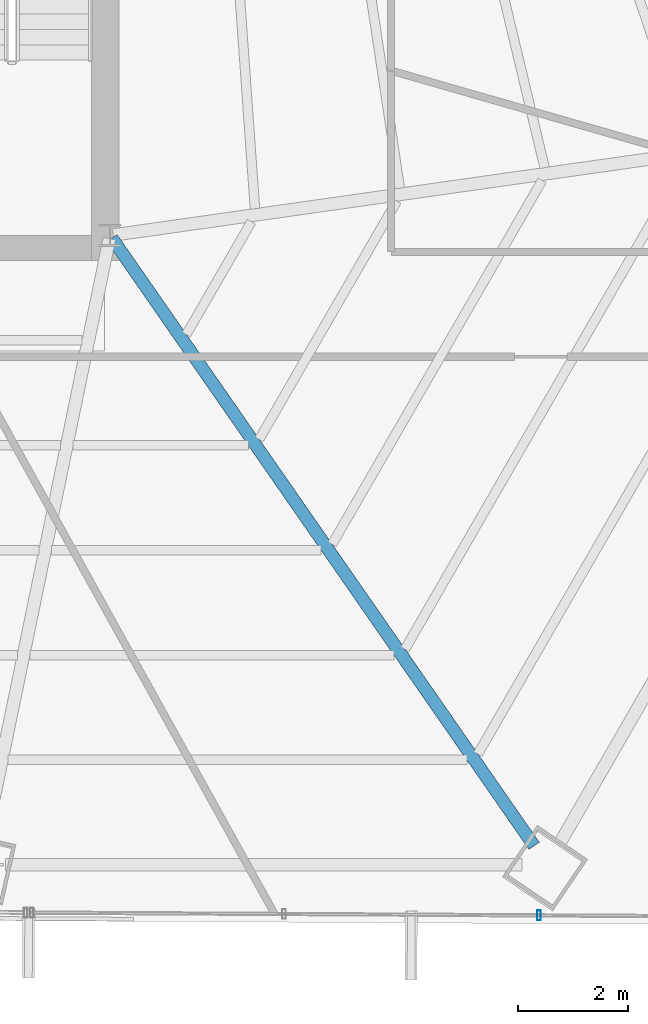
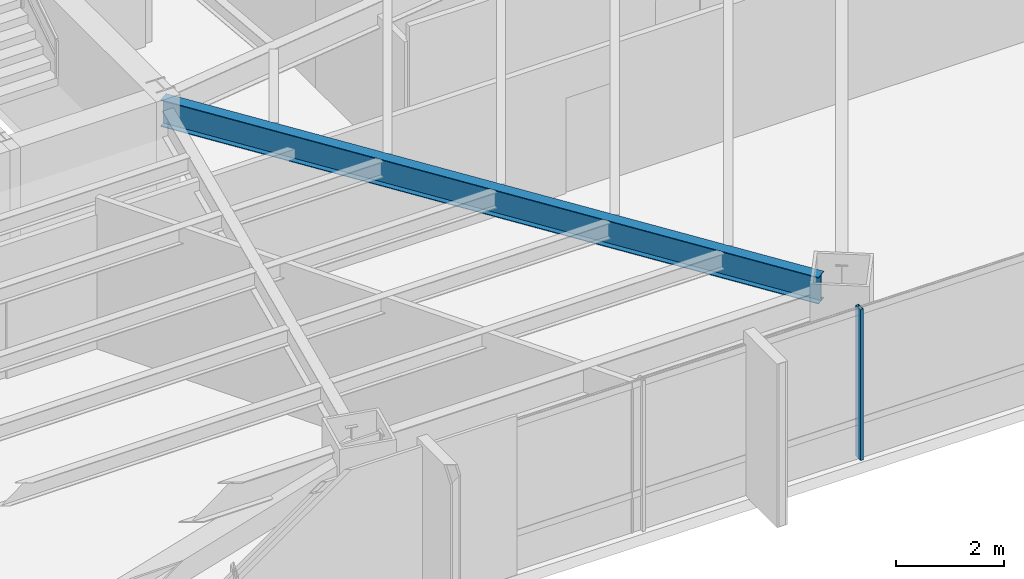
# One storey, part 16 of 36: 1 beam, 1 member, 1 element without a shape of its own.
"""IFC4 building model written with IfcOpenShell, lengths in metres."""

from ifc_helpers import new_model, si_unit, direction, frame, origin, origin_2d, place, context, subcontext, project, spatial, hollow_rectangle, i_section, extrude, source, transform, mapped, material, material_profile, profile_set, type_object, type_shapes, element, aggregate, save


model = new_model("IFC4")

# Units and contexts
model_context = context("Model", 3, precision=1e-05, world=origin(), true_north=direction((0.0, 1.0)))
body_context = subcontext(model_context, "Body", "Model", "MODEL_VIEW")
ifc_project = project(units=[si_unit("LENGTHUNIT", "METRE"), si_unit("AREAUNIT", "SQUARE_METRE"), si_unit("VOLUMEUNIT", "CUBIC_METRE"), si_unit("PLANEANGLEUNIT", "RADIAN"), si_unit("MASSUNIT", "GRAM", prefix="KILO")], contexts=[model_context])

# Site, building, storey
site_placement = place(None, origin())
site = spatial("IfcSite", under=ifc_project, at=site_placement, CompositionType="ELEMENT")
building_placement = place(site_placement, origin())
building = spatial("IfcBuilding", under=site, at=building_placement, Name="Caelisora Broadcast Tower", CompositionType="ELEMENT")
storey_placement = place(building_placement, frame((0.0, 0.0, 83.5)))
storey = spatial("IfcBuildingStorey", under=building, at=storey_placement, Name="L21", CompositionType="ELEMENT", Elevation=83.5)

# Beam
ifc_material_1 = material(Name="Steel Grade 350 (AS/NZS 3679.1)", Category="steel")
ifc_material_profile_1 = material_profile(ifc_material_1, i_section(OverallWidth=0.22802734375, OverallDepth=0.602294921875, WebThickness=0.010498046875, FlangeThickness=0.014892578125, at=origin_2d()), Name="Steel Grade 350 (AS/NZS 3679.1)")
ifc_profile_set_1 = profile_set([ifc_material_profile_1], Name="Steel Grade 350 (AS/NZS 3679.1)")
beam_type = type_object("IfcBeamType", Name="PG04", PredefinedType="BEAM", material=ifc_profile_set_1)
shared_shape_1 = source(origin(), body_context, "Body", "SweptSolid", [
    extrude(i_section(OverallWidth=0.22802734375, OverallDepth=0.602294921875, WebThickness=0.010498046875, FlangeThickness=0.014892578125, at=origin_2d()), origin(), (0.0, 0.0, 1.0), 13.426025390625),
])
type_shapes(beam_type, [shared_shape_1])
beam_placement = place(storey_placement, frame((45.5341796875, 17.3505859375, 3.098876953125), z_axis=(0.57057742726, -0.821243812459, 0.0), x_axis=(0.821243812459, 0.57057742726, 0.0)))
element("IfcBeam", 1, at=beam_placement, inside=storey, type_object=beam_type, Name="L21 beam PG04", PredefinedType="BEAM", context=body_context, shape_type="MappedRepresentation", body=[
    mapped(shared_shape_1, transform((0.0, 0.0, 0.0), scale=1.0)),
])

# Curtain wall, member
ifc_material_2 = material(Name="Unitised Aluminium and Low-E Glass Curtain Wall", Category="glass")
curtain_wall_type = type_object("IfcCurtainWallType", Name="CW-Z2", PredefinedType="NOTDEFINED", material=ifc_material_2)
curtain_wall_placement = place(storey_placement, origin())
curtain_wall = element("IfcCurtainWall", 2, at=curtain_wall_placement, inside=storey, type_object=curtain_wall_type, Name="L21 curtain wall CW-Z2", PredefinedType="NOTDEFINED")
ifc_material_3 = material(Name="Aluminium 6063-T6 Anodised Terracotta Bronze", Category="aluminium")
ifc_material_profile_2 = material_profile(ifc_material_3, hollow_rectangle(XDim=0.06494140625, YDim=0.179931640625, WallThickness=0.00341796875, at=origin_2d()), Name="Aluminium 6063-T6 Anodised Terracotta Bronze")
ifc_profile_set_2 = profile_set([ifc_material_profile_2], Name="Aluminium 6063-T6 Anodised Terracotta Bronze")
member_type = type_object("IfcMemberType", Name="CWM-02", PredefinedType="MULLION", material=ifc_profile_set_2)
shared_shape_2 = source(origin(), body_context, "Body", "SweptSolid", [
    extrude(hollow_rectangle(XDim=0.06494140625, YDim=0.179931640625, WallThickness=0.00341796875, at=origin_2d()), origin(), (0.0, 0.0, 1.0), 3.39990234375),
])
type_shapes(member_type, [shared_shape_2])
member_placement = place(storey_placement, frame((53.2822265625, 5.0625, 0.0), z_axis=(0.0, 0.0, 1.0), x_axis=(1.0, 0.0, 0.0)))
member = element("IfcMember", 3, at=member_placement, type_object=member_type, Name="L21-CW-B05 mullion #1", PredefinedType="MULLION", context=body_context, shape_type="MappedRepresentation", body=[
    mapped(shared_shape_2, transform((0.0, 0.0, 0.0), scale=1.0)),
])
aggregate(curtain_wall, [member])

save(model, "model.ifc")
